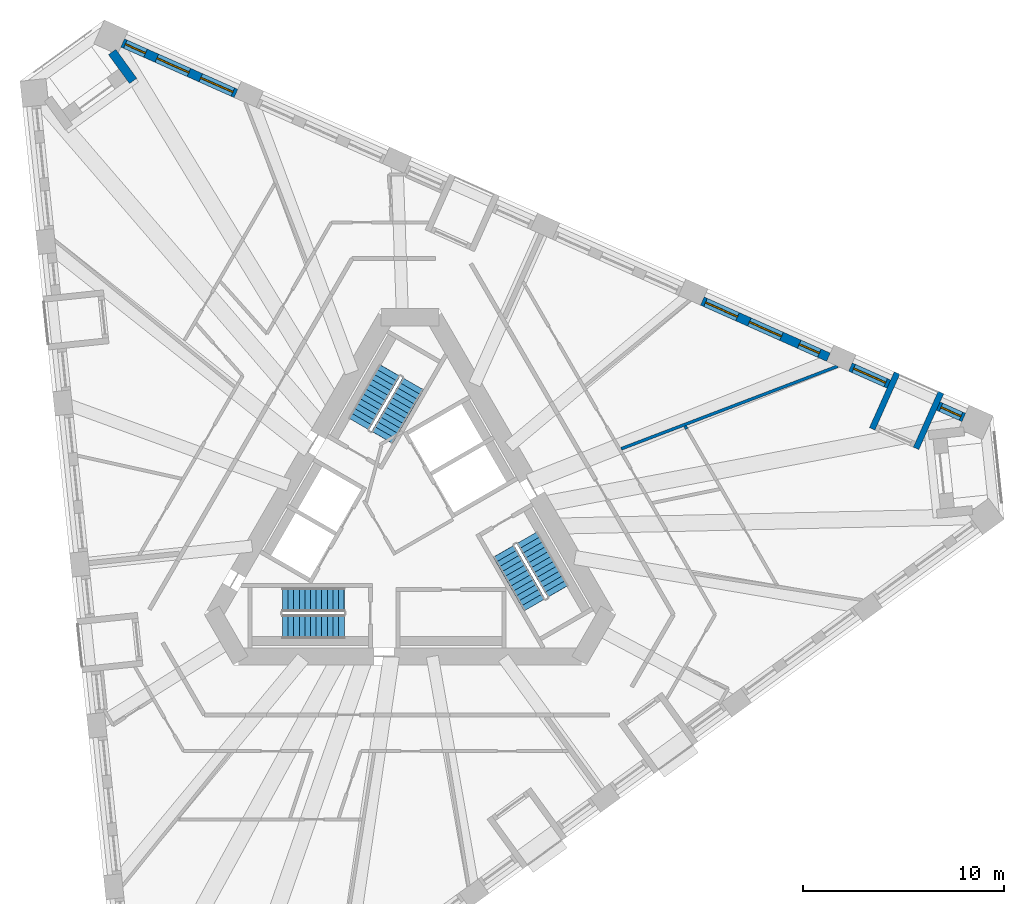
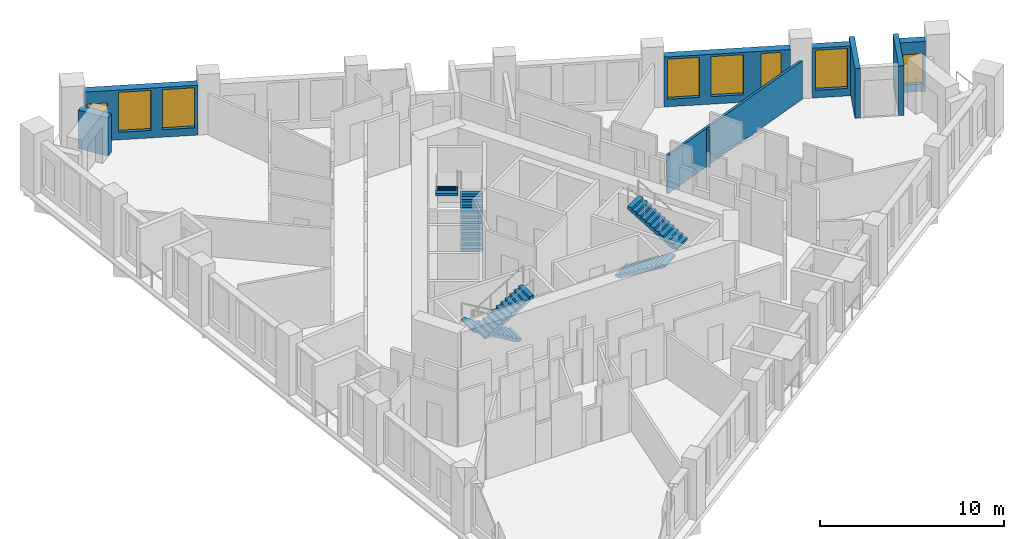
# One storey, part 9 of 14: 9 walls, 8 windows, 6 stair flights, 8 openings, 3 elements without a shape of their own.
"""IFC4 building model written with IfcOpenShell, lengths in metres."""

from ifc_helpers import new_model, si_unit, direction, frame, frame_2d, origin, place, context, subcontext, project, spatial, polyline, rectangle, outline, extrude, material, layer, layer_set, type_object, element, fill, aggregate, save


model = new_model("IFC4")

# Units and contexts
model_context = context("Model", 3, precision=1e-05, world=origin(), true_north=direction((0.0, 1.0)))
body_context = subcontext(model_context, "Body", "Model", "MODEL_VIEW")
ifc_project = project(units=[si_unit("LENGTHUNIT", "METRE"), si_unit("AREAUNIT", "SQUARE_METRE"), si_unit("VOLUMEUNIT", "CUBIC_METRE"), si_unit("PLANEANGLEUNIT", "RADIAN"), si_unit("MASSUNIT", "GRAM", prefix="KILO")], contexts=[model_context])

# Site, building, storey
site_placement = place(None, origin())
site = spatial("IfcSite", under=ifc_project, at=site_placement, CompositionType="ELEMENT")
building_placement = place(site_placement, origin())
building = spatial("IfcBuilding", under=site, at=building_placement, Name="Tramontana Tower", CompositionType="ELEMENT")
storey_placement = place(building_placement, frame((0.0, 0.0, 170.800048828125)))
storey = spatial("IfcBuildingStorey", under=building, at=storey_placement, Name="L39", CompositionType="ELEMENT", Elevation=170.800048828125)

# Wall, opening, window
ifc_material_1 = material(Name="Precast concrete 60 MPa", Category="concrete")
ifc_layer_1 = layer(ifc_material_1, 0.449951171875)
ifc_layer_set_1 = layer_set([ifc_layer_1], Name="Precast concrete 60 MPa, 450 mm")
wall_type_1 = type_object("IfcWallType", Name="EW1 Stone-faced precast wall 450", PredefinedType="SOLIDWALL", material=ifc_layer_set_1)
wall_1_placement = place(storey_placement, frame((27.604736328125, 5.57958984375, 0.0), z_axis=(0.0, 0.0, 1.0), x_axis=(-0.913558681389, 0.406706940756, 0.0)))
wall_1 = element("IfcWall", 1, at=wall_1_placement, inside=storey, type_object=wall_type_1, Name="External wall L39 face 2 bay 1", PredefinedType="SOLIDWALL", context=body_context, shape_type="SweptSolid", body=[
    extrude(rectangle(XDim=1.39453125, YDim=0.449951171875, at=frame_2d((0.697265625, 0.0))), origin(), (0.0, 0.0, 1.0), 3.300048828125),
])
opening_1_placement = place(wall_1_placement, frame((0.147216796875, 0.0, 0.5)))
opening_1 = element("IfcOpeningElement", 2, at=opening_1_placement, cuts=wall_1, Name="Opening N2L", PredefinedType="OPENING", context=body_context, shape_type="SweptSolid", body=[
    extrude(rectangle(XDim=1.10009765625, YDim=2.0, at=frame_2d((0.550048828125, 1.0))), frame((0.0, 0.23486328125, 0.0), z_axis=(0.0, -1.0, 0.0), x_axis=(1.0, 0.0, 0.0)), (0.0, 0.0, 1.0), 0.469970703125),
])
ifc_material_2 = material(Name="Aluminum frame, double glazing unit", Category="aluminium")
window_type_1 = type_object("IfcWindowType", Name="N2L Window 1.1 x 2", PartitioningType="SINGLE_PANEL", PredefinedType="WINDOW", material=ifc_material_2)
window_1_placement = place(opening_1_placement, origin())
window_1 = element("IfcWindow", 3, at=window_1_placement, inside=storey, type_object=window_type_1, Name="Window N2L L39 face 2 module 1", OverallHeight=2.0, OverallWidth=1.10009765625, PartitioningType="SINGLE_PANEL", PredefinedType="WINDOW", context=body_context, shape_type="SweptSolid", body=[
    extrude(rectangle(XDim=1.10009765625, YDim=2.0, at=frame_2d((0.550048828125, 1.0))), frame((0.0, 0.030029296875, 0.0), z_axis=(0.0, -1.0, 0.0), x_axis=(1.0, 0.0, 0.0)), (0.0, 0.0, 1.0), 0.06005859375),
])
fill(opening_1, window_1)

wall_2_placement = place(storey_placement, frame((23.86962890625, 7.242431640625, 0.0), z_axis=(0.0, 0.0, 1.0), x_axis=(-0.913513282906, 0.406808901026, 0.0)))
wall_2 = element("IfcWall", 4, at=wall_2_placement, inside=storey, type_object=wall_type_1, Name="External wall L39 face 2 bay 1", PredefinedType="SOLIDWALL", context=body_context, shape_type="SweptSolid", body=[
    extrude(rectangle(XDim=2.094482421875, YDim=0.449951171875, at=frame_2d((1.04736328125, 0.0))), origin(), (0.0, 0.0, 1.0), 3.300048828125),
])
opening_2_placement = place(wall_2_placement, frame((0.172119140625, 0.0, 0.5)))
opening_2 = element("IfcOpeningElement", 5, at=opening_2_placement, cuts=wall_2, Name="Opening M2", PredefinedType="OPENING", context=body_context, shape_type="SweptSolid", body=[
    extrude(rectangle(XDim=1.75, YDim=2.64990234375, at=frame_2d((0.875, 1.324951171875))), frame((0.0, 0.23486328125, 0.0), z_axis=(0.0, -1.0, 0.0), x_axis=(1.0, 0.0, 0.0)), (0.0, 0.0, 1.0), 0.469970703125),
])
ifc_material_3 = material(Name="Aluminum frame, double glazing unit", Category="aluminium")
window_type_2 = type_object("IfcWindowType", Name="M2 Window 1.75 x 2.65", PartitioningType="SINGLE_PANEL", PredefinedType="WINDOW", material=ifc_material_3)
window_2_placement = place(opening_2_placement, origin())
window_2 = element("IfcWindow", 6, at=window_2_placement, inside=storey, type_object=window_type_2, Name="Window M2 L39 face 2 module 3", OverallHeight=2.64990234375, OverallWidth=1.75, PartitioningType="SINGLE_PANEL", PredefinedType="WINDOW", context=body_context, shape_type="SweptSolid", body=[
    extrude(rectangle(XDim=1.75, YDim=2.64990234375, at=frame_2d((0.875, 1.324951171875))), frame((0.0, 0.030029296875, 0.0), z_axis=(0.0, -1.0, 0.0), x_axis=(1.0, 0.0, 0.0)), (0.0, 0.0, 1.0), 0.06005859375),
])
fill(opening_2, window_2)

# Wall, openings, windows
wall_3_placement = place(storey_placement, frame((20.860107421875, 8.58251953125, 0.0), z_axis=(0.0, 0.0, 1.0), x_axis=(-0.913543675585, 0.40674064562, 0.0)))
wall_3 = element("IfcWall", 7, at=wall_3_placement, inside=storey, type_object=wall_type_1, Name="External wall L39 face 2 bay 2", PredefinedType="SOLIDWALL", context=body_context, shape_type="SweptSolid", body=[
    extrude(rectangle(XDim=6.8828125, YDim=0.449951171875, at=frame_2d((3.44140625, 0.0))), origin(), (0.0, 0.0, 1.0), 3.300048828125),
])
opening_3_placement = place(wall_3_placement, frame((0.4970703125, 0.0, 0.5)))
opening_3 = element("IfcOpeningElement", 8, at=opening_3_placement, cuts=wall_3, Name="Opening N2", PredefinedType="OPENING", context=body_context, shape_type="SweptSolid", body=[
    extrude(rectangle(XDim=1.10009765625, YDim=2.64990234375, at=frame_2d((0.550048828125, 1.324951171875))), frame((0.0, 0.23486328125, 0.0), z_axis=(0.0, -1.0, 0.0), x_axis=(1.0, 0.0, 0.0)), (0.0, 0.0, 1.0), 0.469970703125),
])
opening_4_placement = place(wall_3_placement, frame((2.56640625, 0.0, 0.5)))
opening_4 = element("IfcOpeningElement", 9, at=opening_4_placement, cuts=wall_3, Name="Opening M2", PredefinedType="OPENING", context=body_context, shape_type="SweptSolid", body=[
    extrude(rectangle(XDim=1.75, YDim=2.64990234375, at=frame_2d((0.875, 1.324951171875))), frame((0.0, 0.23486328125, 0.0), z_axis=(0.0, -1.0, 0.0), x_axis=(1.0, 0.0, 0.0)), (0.0, 0.0, 1.0), 0.469970703125),
])
opening_5_placement = place(wall_3_placement, frame((4.960693359375, 0.0, 0.5)))
opening_5 = element("IfcOpeningElement", 10, at=opening_5_placement, cuts=wall_3, Name="Opening M2", PredefinedType="OPENING", context=body_context, shape_type="SweptSolid", body=[
    extrude(rectangle(XDim=1.75, YDim=2.64990234375, at=frame_2d((0.875, 1.324951171875))), frame((0.0, 0.23486328125, 0.0), z_axis=(0.0, -1.0, 0.0), x_axis=(1.0, 0.0, 0.0)), (0.0, 0.0, 1.0), 0.469970703125),
])
window_3_placement = place(opening_4_placement, origin())
window_3 = element("IfcWindow", 11, at=window_3_placement, inside=storey, type_object=window_type_2, Name="Window M2 L39 face 2 module 5", OverallHeight=2.64990234375, OverallWidth=1.75, PartitioningType="SINGLE_PANEL", PredefinedType="WINDOW", context=body_context, shape_type="SweptSolid", body=[
    extrude(rectangle(XDim=1.75, YDim=2.64990234375, at=frame_2d((0.875, 1.324951171875))), frame((0.0, 0.030029296875, 0.0), z_axis=(0.0, -1.0, 0.0), x_axis=(1.0, 0.0, 0.0)), (0.0, 0.0, 1.0), 0.06005859375),
])
fill(opening_4, window_3)
window_4_placement = place(opening_5_placement, origin())
window_4 = element("IfcWindow", 12, at=window_4_placement, inside=storey, type_object=window_type_2, Name="Window M2 L39 face 2 module 6", OverallHeight=2.64990234375, OverallWidth=1.75, PartitioningType="SINGLE_PANEL", PredefinedType="WINDOW", context=body_context, shape_type="SweptSolid", body=[
    extrude(rectangle(XDim=1.75, YDim=2.64990234375, at=frame_2d((0.875, 1.324951171875))), frame((0.0, 0.030029296875, 0.0), z_axis=(0.0, -1.0, 0.0), x_axis=(1.0, 0.0, 0.0)), (0.0, 0.0, 1.0), 0.06005859375),
])
fill(opening_5, window_4)
ifc_material_4 = material(Name="Aluminum frame, double glazing unit", Category="aluminium")
window_type_3 = type_object("IfcWindowType", Name="N2 Window 1.1 x 2.65", PartitioningType="SINGLE_PANEL", PredefinedType="WINDOW", material=ifc_material_4)
window_5_placement = place(opening_3_placement, origin())
window_5 = element("IfcWindow", 13, at=window_5_placement, inside=storey, type_object=window_type_3, Name="Window N2 L39 face 2 module 4", OverallHeight=2.64990234375, OverallWidth=1.10009765625, PartitioningType="SINGLE_PANEL", PredefinedType="WINDOW", context=body_context, shape_type="SweptSolid", body=[
    extrude(rectangle(XDim=1.10009765625, YDim=2.64990234375, at=frame_2d((0.550048828125, 1.324951171875))), frame((0.0, 0.030029296875, 0.0), z_axis=(0.0, -1.0, 0.0), x_axis=(1.0, 0.0, 0.0)), (0.0, 0.0, 1.0), 0.06005859375),
])
fill(opening_3, window_5)

wall_4_placement = place(storey_placement, frame((-8.67626953125, 21.73291015625, 0.0), z_axis=(0.0, 0.0, 1.0), x_axis=(-0.913542682641, 0.406742875773, 0.0)))
wall_4 = element("IfcWall", 14, at=wall_4_placement, inside=storey, type_object=wall_type_1, Name="External wall L39 face 2 bay 6", PredefinedType="SOLIDWALL", context=body_context, shape_type="SweptSolid", body=[
    extrude(rectangle(XDim=6.18310546875, YDim=0.449951171875, at=frame_2d((3.091552734375, 0.0))), origin(), (0.0, 0.0, 1.0), 3.300048828125),
])
opening_6_placement = place(wall_4_placement, frame((0.172119140625, 0.0, 0.5)))
opening_6 = element("IfcOpeningElement", 15, at=opening_6_placement, cuts=wall_4, Name="Opening M2", PredefinedType="OPENING", context=body_context, shape_type="SweptSolid", body=[
    extrude(rectangle(XDim=1.75, YDim=2.64990234375, at=frame_2d((0.875, 1.324951171875))), frame((0.0, 0.23486328125, 0.0), z_axis=(0.0, -1.0, 0.0), x_axis=(1.0, 0.0, 0.0)), (0.0, 0.0, 1.0), 0.469970703125),
])
opening_7_placement = place(wall_4_placement, frame((2.56640625, 0.0, 0.5)))
opening_7 = element("IfcOpeningElement", 16, at=opening_7_placement, cuts=wall_4, Name="Opening M2", PredefinedType="OPENING", context=body_context, shape_type="SweptSolid", body=[
    extrude(rectangle(XDim=1.75, YDim=2.64990234375, at=frame_2d((0.875, 1.324951171875))), frame((0.0, 0.23486328125, 0.0), z_axis=(0.0, -1.0, 0.0), x_axis=(1.0, 0.0, 0.0)), (0.0, 0.0, 1.0), 0.469970703125),
])
opening_8_placement = place(wall_4_placement, frame((4.935791015625, 0.0, 0.5)))
opening_8 = element("IfcOpeningElement", 17, at=opening_8_placement, cuts=wall_4, Name="Opening N2L", PredefinedType="OPENING", context=body_context, shape_type="SweptSolid", body=[
    extrude(rectangle(XDim=1.10009765625, YDim=2.0, at=frame_2d((0.550048828125, 1.0))), frame((0.0, 0.23486328125, 0.0), z_axis=(0.0, -1.0, 0.0), x_axis=(1.0, 0.0, 0.0)), (0.0, 0.0, 1.0), 0.469970703125),
])
window_6_placement = place(opening_6_placement, origin())
window_6 = element("IfcWindow", 18, at=window_6_placement, inside=storey, type_object=window_type_2, Name="Window M2 L39 face 2 module 16", OverallHeight=2.64990234375, OverallWidth=1.75, PartitioningType="SINGLE_PANEL", PredefinedType="WINDOW", context=body_context, shape_type="SweptSolid", body=[
    extrude(rectangle(XDim=1.75, YDim=2.64990234375, at=frame_2d((0.875, 1.324951171875))), frame((0.0, 0.030029296875, 0.0), z_axis=(0.0, -1.0, 0.0), x_axis=(1.0, 0.0, 0.0)), (0.0, 0.0, 1.0), 0.06005859375),
])
fill(opening_6, window_6)
window_7_placement = place(opening_7_placement, origin())
window_7 = element("IfcWindow", 19, at=window_7_placement, inside=storey, type_object=window_type_2, Name="Window M2 L39 face 2 module 17", OverallHeight=2.64990234375, OverallWidth=1.75, PartitioningType="SINGLE_PANEL", PredefinedType="WINDOW", context=body_context, shape_type="SweptSolid", body=[
    extrude(rectangle(XDim=1.75, YDim=2.64990234375, at=frame_2d((0.875, 1.324951171875))), frame((0.0, 0.030029296875, 0.0), z_axis=(0.0, -1.0, 0.0), x_axis=(1.0, 0.0, 0.0)), (0.0, 0.0, 1.0), 0.06005859375),
])
fill(opening_7, window_7)
window_8_placement = place(opening_8_placement, origin())
window_8 = element("IfcWindow", 20, at=window_8_placement, inside=storey, type_object=window_type_1, Name="Window N2L L39 face 2 module 18", OverallHeight=2.0, OverallWidth=1.10009765625, PartitioningType="SINGLE_PANEL", PredefinedType="WINDOW", context=body_context, shape_type="SweptSolid", body=[
    extrude(rectangle(XDim=1.10009765625, YDim=2.0, at=frame_2d((0.550048828125, 1.0))), frame((0.0, 0.030029296875, 0.0), z_axis=(0.0, -1.0, 0.0), x_axis=(1.0, 0.0, 0.0)), (0.0, 0.0, 1.0), 0.06005859375),
])
fill(opening_8, window_8)

# Walls
wall_5_placement = place(storey_placement, frame((-14.847900390625, 23.796630859375, 0.0), z_axis=(0.0, 0.0, 1.0), x_axis=(0.587722853316, -0.809062326209, 0.0)))
element("IfcWall", 21, at=wall_5_placement, inside=storey, type_object=wall_type_1, Name="Corner loggia side wall L39 K40r", PredefinedType="SOLIDWALL", context=body_context, shape_type="SweptSolid", body=[
    extrude(rectangle(XDim=1.779052734375, YDim=0.449951171875, at=frame_2d((0.8896484375, 0.0))), origin(), (0.0, 0.0, 1.0), 2.550048828125),
])
ifc_material_5 = material(Name="Precast concrete 60 MPa", Category="concrete")
ifc_layer_2 = layer(ifc_material_5, 0.300048828125)
ifc_layer_set_2 = layer_set([ifc_layer_2], Name="LW1 Stone-faced loggia wall 300")
wall_type_2 = type_object("IfcWallType", Name="LW1 Stone-faced loggia wall 300", PredefinedType="SOLIDWALL", material=ifc_layer_set_2)
for number, where, z_axis, x_axis, name in (
    (22, (26.468505859375, 6.82421875, 0.0), (0.0, 0.0, 1.0), (-0.406806804169, -0.913514216683, 0.0), "Loggia return L39 G4S2.1a"),
    (23, (24.281005859375, 7.798095703125, 0.0), (0.0, 0.0, 1.0), (-0.406739999721, -0.91354396316, 0.0), "Loggia return L39 G4S2.1b"),
):
    element("IfcWall", number, at=place(storey_placement, frame(where, z_axis=z_axis, x_axis=x_axis)), inside=storey, type_object=wall_type_2, Name=name, PredefinedType="SOLIDWALL", context=body_context, shape_type="SweptSolid", body=[
        extrude(rectangle(XDim=3.0498046875, YDim=0.300048828125, at=frame_2d((1.52490234375, 0.0))), origin(), (0.0, 0.0, 1.0), 3.300048828125),
    ])
ifc_material_6 = material(Name="Gypsum board partition")
ifc_layer_3 = layer(ifc_material_6, 0.14990234375)
ifc_layer_set_3 = layer_set([ifc_layer_3], Name="PARTITION 150")
wall_type_3 = type_object("IfcWallType", Name="PARTITION 150", PredefinedType="PARTITIONING", material=ifc_layer_set_3)
wall_6_placement = place(storey_placement, frame((10.52734375, 4.016357421875, 0.0), z_axis=(0.0, 0.0, 1.0), x_axis=(0.934307766119, 0.356467387245, 0.0)))
element("IfcWall", 24, at=wall_6_placement, inside=storey, type_object=wall_type_3, Name="Wall v40-pw29-0", PredefinedType="PARTITIONING", context=body_context, shape_type="SweptSolid", body=[
    extrude(rectangle(XDim=11.5478515625, YDim=0.14990234375, at=frame_2d((5.77392578125, 0.0))), origin(), (0.0, 0.0, 1.0), 2.550048828125),
])
wall_7_placement = place(storey_placement, frame((13.71142578125, 5.15087890625, 0.0), z_axis=(0.0, 0.0, 1.0), x_axis=(0.501154914898, -0.865357585784, 0.0)))
element("IfcWall", 25, at=wall_7_placement, inside=storey, type_object=wall_type_3, Name="Wall v40-pw31-0", PredefinedType="PARTITIONING", context=body_context, shape_type="SweptSolid", body=[
    extrude(rectangle(XDim=0.162109375, YDim=0.14990234375, at=frame_2d((0.0810546875, 0.0))), origin(), (0.0, 0.0, 1.0), 2.550048828125),
])

# Stair, stair flights
ifc_material_7 = material(Name="Concrete 40 MPa", Category="concrete")
stair_type = type_object("IfcStairType", Name="EXIT STAIR 24 RISERS", PredefinedType="HALF_TURN_STAIR", material=ifc_material_7)
stair_1_placement = place(storey_placement, origin())
stair_1 = element("IfcStair", 26, at=stair_1_placement, inside=storey, type_object=stair_type, Name="L39 Exit stair ST1", PredefinedType="HALF_TURN_STAIR")
ifc_material_8 = material(Name="Concrete 40 MPa", Category="concrete")
ifc_layer_4 = layer(ifc_material_8, 0.14990234375)
ifc_layer_set_4 = layer_set([ifc_layer_4], Name="EXIT STAIR FLIGHT")
stair_flight_type = type_object("IfcStairFlightType", Name="EXIT STAIR FLIGHT", PredefinedType="STRAIGHT", material=ifc_layer_set_4)
stair_flight_1_placement = place(storey_placement, frame((-1.39111328125, 4.590576171875, 0.0), z_axis=(0.0, 0.0, 1.0), x_axis=(0.5, 0.866025403784, 0.0)))
stair_flight_1 = element("IfcStairFlight", 27, at=stair_flight_1_placement, type_object=stair_flight_type, Name="ST1 flight 1", NumberOfRisers=12, NumberOfTreads=11, PredefinedType="STRAIGHT", RiserHeight=0.166666667, TreadLength=0.28, context=body_context, shape_type="SweptSolid", body=[
    extrude(outline(polyline([(-0.006103515625, 0.0), (-0.006103515625, 0.0400390625), (0.0, 0.0400390625), (0.0, 0.166748046875), (0.280029296875, 0.166748046875), (0.280029296875, 0.333251953125), (0.56005859375, 0.333251953125), (0.56005859375, 0.5), (0.840087890625, 0.5), (0.840087890625, 0.666748046875), (1.1201171875, 0.666748046875), (1.1201171875, 0.833251953125), (1.39990234375, 0.833251953125), (1.39990234375, 1.0), (1.679931640625, 1.0), (1.679931640625, 1.166748046875), (1.9599609375, 1.166748046875), (1.9599609375, 1.333251953125), (2.239990234375, 1.333251953125), (2.239990234375, 1.5), (2.52001953125, 1.5), (2.52001953125, 1.666748046875), (2.800048828125, 1.666748046875), (2.800048828125, 1.833251953125), (3.080078125, 1.833251953125), (3.0859375, 1.833251953125), (3.0859375, 1.658935546875), (0.299072265625, 0.0), (-0.006103515625, 0.0)])), frame((0.0, 0.60009765625, 0.0), z_axis=(0.0, -1.0, 0.0), x_axis=(1.0, 0.0, 0.0)), (0.0, 0.0, 1.0), 1.199951171875),
])
stair_flight_2_placement = place(storey_placement, frame((-1.020263671875, 7.932861328125, 2.0), z_axis=(0.0, 0.0, 1.0), x_axis=(-0.5, -0.866025403784, 0.0)))
stair_flight_2 = element("IfcStairFlight", 28, at=stair_flight_2_placement, type_object=stair_flight_type, Name="ST1 flight 2", NumberOfRisers=12, NumberOfTreads=11, PredefinedType="STRAIGHT", RiserHeight=0.166666667, TreadLength=0.28, context=body_context, shape_type="SweptSolid", body=[
    extrude(outline(polyline([(-0.006103515625, 0.0), (-0.006103515625, 0.0400390625), (0.0, 0.0400390625), (0.0, 0.166748046875), (0.280029296875, 0.166748046875), (0.280029296875, 0.333251953125), (0.56005859375, 0.333251953125), (0.56005859375, 0.5), (0.840087890625, 0.5), (0.840087890625, 0.666748046875), (1.1201171875, 0.666748046875), (1.1201171875, 0.833251953125), (1.39990234375, 0.833251953125), (1.39990234375, 1.0), (1.679931640625, 1.0), (1.679931640625, 1.166748046875), (1.9599609375, 1.166748046875), (1.9599609375, 1.333251953125), (2.239990234375, 1.333251953125), (2.239990234375, 1.5), (2.52001953125, 1.5), (2.52001953125, 1.666748046875), (2.800048828125, 1.666748046875), (2.800048828125, 1.833251953125), (3.080078125, 1.833251953125), (3.0859375, 1.833251953125), (3.0859375, 1.658935546875), (0.299072265625, 0.0), (-0.006103515625, 0.0)])), frame((0.0, 0.60009765625, 0.0), z_axis=(0.0, -1.0, 0.0), x_axis=(1.0, 0.0, 0.0)), (0.0, 0.0, 1.0), 1.199951171875),
])
aggregate(stair_1, [stair_flight_1, stair_flight_2])

stair_2_placement = place(storey_placement, origin())
stair_2 = element("IfcStair", 29, at=stair_2_placement, inside=storey, type_object=stair_type, Name="L39 Exit stair ST2", PredefinedType="HALF_TURN_STAIR")
stair_flight_3_placement = place(storey_placement, frame((-3.280029296875, -3.5, 0.0), z_axis=(0.0, 0.0, 1.0), x_axis=(-1.0, 0.0, 0.0)))
stair_flight_3 = element("IfcStairFlight", 30, at=stair_flight_3_placement, type_object=stair_flight_type, Name="ST2 flight 1", NumberOfRisers=12, NumberOfTreads=11, PredefinedType="STRAIGHT", RiserHeight=0.166666667, TreadLength=0.28, context=body_context, shape_type="SweptSolid", body=[
    extrude(outline(polyline([(-0.006103515625, 0.0), (-0.006103515625, 0.0400390625), (0.0, 0.0400390625), (0.0, 0.166748046875), (0.280029296875, 0.166748046875), (0.280029296875, 0.333251953125), (0.56005859375, 0.333251953125), (0.56005859375, 0.5), (0.840087890625, 0.5), (0.840087890625, 0.666748046875), (1.1201171875, 0.666748046875), (1.1201171875, 0.833251953125), (1.39990234375, 0.833251953125), (1.39990234375, 1.0), (1.679931640625, 1.0), (1.679931640625, 1.166748046875), (1.9599609375, 1.166748046875), (1.9599609375, 1.333251953125), (2.239990234375, 1.333251953125), (2.239990234375, 1.5), (2.52001953125, 1.5), (2.52001953125, 1.666748046875), (2.800048828125, 1.666748046875), (2.800048828125, 1.833251953125), (3.080078125, 1.833251953125), (3.0859375, 1.833251953125), (3.0859375, 1.658935546875), (0.299072265625, 0.0), (-0.006103515625, 0.0)])), frame((0.0, 0.60009765625, 0.0), z_axis=(0.0, -1.0, 0.0), x_axis=(1.0, 0.0, 0.0)), (0.0, 0.0, 1.0), 1.199951171875),
])
stair_flight_4_placement = place(storey_placement, frame((-6.360107421875, -4.85009765625, 2.0), z_axis=(0.0, 0.0, 1.0), x_axis=(1.0, 0.0, 0.0)))
stair_flight_4 = element("IfcStairFlight", 31, at=stair_flight_4_placement, type_object=stair_flight_type, Name="ST2 flight 2", NumberOfRisers=12, NumberOfTreads=11, PredefinedType="STRAIGHT", RiserHeight=0.166666667, TreadLength=0.28, context=body_context, shape_type="SweptSolid", body=[
    extrude(outline(polyline([(-0.006103515625, 0.0), (-0.006103515625, 0.0400390625), (0.0, 0.0400390625), (0.0, 0.166748046875), (0.280029296875, 0.166748046875), (0.280029296875, 0.333251953125), (0.56005859375, 0.333251953125), (0.56005859375, 0.5), (0.840087890625, 0.5), (0.840087890625, 0.666748046875), (1.1201171875, 0.666748046875), (1.1201171875, 0.833251953125), (1.39990234375, 0.833251953125), (1.39990234375, 1.0), (1.679931640625, 1.0), (1.679931640625, 1.166748046875), (1.9599609375, 1.166748046875), (1.9599609375, 1.333251953125), (2.239990234375, 1.333251953125), (2.239990234375, 1.5), (2.52001953125, 1.5), (2.52001953125, 1.666748046875), (2.800048828125, 1.666748046875), (2.800048828125, 1.833251953125), (3.080078125, 1.833251953125), (3.0859375, 1.833251953125), (3.0859375, 1.658935546875), (0.299072265625, 0.0), (-0.006103515625, 0.0)])), frame((0.0, 0.60009765625, 0.0), z_axis=(0.0, -1.0, 0.0), x_axis=(1.0, 0.0, 0.0)), (0.0, 0.0, 1.0), 1.199951171875),
])
aggregate(stair_2, [stair_flight_3, stair_flight_4])

stair_3_placement = place(storey_placement, origin())
stair_3 = element("IfcStair", 32, at=stair_3_placement, inside=storey, type_object=stair_type, Name="L39 Exit stair ST3", PredefinedType="HALF_TURN_STAIR")
stair_flight_5_placement = place(storey_placement, frame((4.671142578125, -1.090576171875, 0.0), z_axis=(0.0, 0.0, 1.0), x_axis=(0.5, -0.866025403784, 0.0)))
stair_flight_5 = element("IfcStairFlight", 33, at=stair_flight_5_placement, type_object=stair_flight_type, Name="ST3 flight 1", NumberOfRisers=12, NumberOfTreads=11, PredefinedType="STRAIGHT", RiserHeight=0.166666667, TreadLength=0.28, context=body_context, shape_type="SweptSolid", body=[
    extrude(outline(polyline([(-0.006103515625, 0.0), (-0.006103515625, 0.0400390625), (0.0, 0.0400390625), (0.0, 0.166748046875), (0.280029296875, 0.166748046875), (0.280029296875, 0.333251953125), (0.56005859375, 0.333251953125), (0.56005859375, 0.5), (0.840087890625, 0.5), (0.840087890625, 0.666748046875), (1.1201171875, 0.666748046875), (1.1201171875, 0.833251953125), (1.39990234375, 0.833251953125), (1.39990234375, 1.0), (1.679931640625, 1.0), (1.679931640625, 1.166748046875), (1.9599609375, 1.166748046875), (1.9599609375, 1.333251953125), (2.239990234375, 1.333251953125), (2.239990234375, 1.5), (2.52001953125, 1.5), (2.52001953125, 1.666748046875), (2.800048828125, 1.666748046875), (2.800048828125, 1.833251953125), (3.080078125, 1.833251953125), (3.0859375, 1.833251953125), (3.0859375, 1.658935546875), (0.299072265625, 0.0), (-0.006103515625, 0.0)])), frame((0.0, 0.60009765625, 0.0), z_axis=(0.0, -1.0, 0.0), x_axis=(1.0, 0.0, 0.0)), (0.0, 0.0, 1.0), 1.199951171875),
])
stair_flight_6_placement = place(storey_placement, frame((7.380126953125, -3.0830078125, 2.0), z_axis=(0.0, 0.0, 1.0), x_axis=(-0.5, 0.866025403784, 0.0)))
stair_flight_6 = element("IfcStairFlight", 34, at=stair_flight_6_placement, type_object=stair_flight_type, Name="ST3 flight 2", NumberOfRisers=12, NumberOfTreads=11, PredefinedType="STRAIGHT", RiserHeight=0.166666667, TreadLength=0.28, context=body_context, shape_type="SweptSolid", body=[
    extrude(outline(polyline([(-0.006103515625, 0.0), (-0.006103515625, 0.0400390625), (0.0, 0.0400390625), (0.0, 0.166748046875), (0.280029296875, 0.166748046875), (0.280029296875, 0.333251953125), (0.56005859375, 0.333251953125), (0.56005859375, 0.5), (0.840087890625, 0.5), (0.840087890625, 0.666748046875), (1.1201171875, 0.666748046875), (1.1201171875, 0.833251953125), (1.39990234375, 0.833251953125), (1.39990234375, 1.0), (1.679931640625, 1.0), (1.679931640625, 1.166748046875), (1.9599609375, 1.166748046875), (1.9599609375, 1.333251953125), (2.239990234375, 1.333251953125), (2.239990234375, 1.5), (2.52001953125, 1.5), (2.52001953125, 1.666748046875), (2.800048828125, 1.666748046875), (2.800048828125, 1.833251953125), (3.080078125, 1.833251953125), (3.0859375, 1.833251953125), (3.0859375, 1.658935546875), (0.299072265625, 0.0), (-0.006103515625, 0.0)])), frame((0.0, 0.60009765625, 0.0), z_axis=(0.0, -1.0, 0.0), x_axis=(1.0, 0.0, 0.0)), (0.0, 0.0, 1.0), 1.199951171875),
])
aggregate(stair_3, [stair_flight_5, stair_flight_6])

save(model, "model.ifc")
